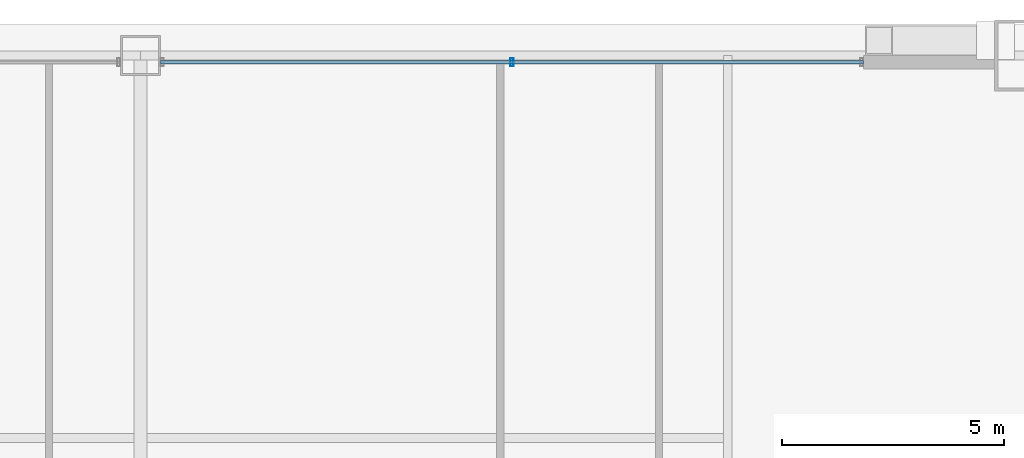
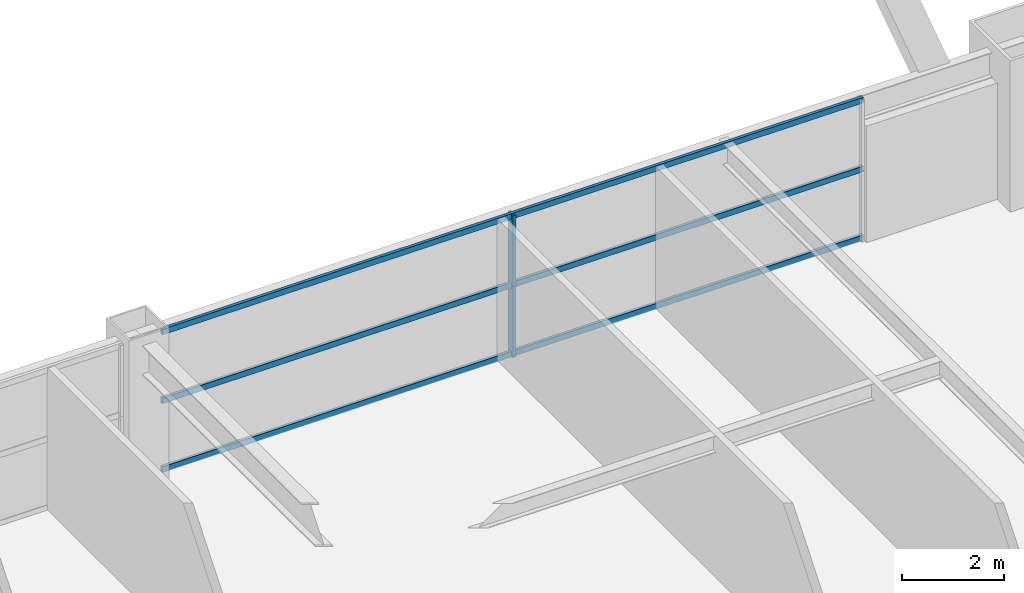
# One storey, part 33 of 41: 5 members, 1 element without a shape of its own.
"""IFC4 building model written with IfcOpenShell, lengths in metres."""

from ifc_helpers import new_model, si_unit, direction, frame, origin, origin_2d, place, context, subcontext, project, spatial, hollow_rectangle, extrude, source, transform, mapped, material, layer, layer_set, material_profile, profile_set, type_object, element, aggregate, save


model = new_model("IFC4")

# Units and contexts
model_context = context("Model", 3, precision=1e-05, world=origin(), true_north=direction((0.0, 1.0)))
body_context = subcontext(model_context, "Body", "Model", "MODEL_VIEW")
ifc_project = project(units=[si_unit("LENGTHUNIT", "METRE"), si_unit("AREAUNIT", "SQUARE_METRE"), si_unit("VOLUMEUNIT", "CUBIC_METRE"), si_unit("PLANEANGLEUNIT", "RADIAN"), si_unit("MASSUNIT", "GRAM", prefix="KILO"), si_unit("THERMODYNAMICTEMPERATUREUNIT", "KELVIN"), si_unit("POWERUNIT", "WATT")], contexts=[model_context])

# Site, building, storey
site_placement = place(None, origin())
site = spatial("IfcSite", under=ifc_project, at=site_placement, CompositionType="ELEMENT")
building_placement = place(site_placement, origin())
building = spatial("IfcBuilding", under=site, at=building_placement, Name="Yuzanri Waterfront Tower", CompositionType="ELEMENT")
storey_placement = place(building_placement, frame((0.0, 0.0, 115.39990234375)))
storey = spatial("IfcBuildingStorey", under=building, at=storey_placement, Name="L30", CompositionType="ELEMENT", Elevation=115.39990234375)

# Curtain wall, members
ifc_material_1 = material(Name="Anodized Architectural Bronze", Category="metal")
ifc_layer = layer(ifc_material_1, 0.159912109375)
ifc_layer_set = layer_set([ifc_layer], Name="Anodized Architectural Bronze")
curtain_wall_type = type_object("IfcCurtainWallType", Name="Anodized Bronze Hotel Upper-Tier Solar-Control Unitized Curtain Wall 7800", PredefinedType="NOTDEFINED", material=ifc_layer_set)
curtain_wall_placement = place(storey_placement, origin())
curtain_wall = element("IfcCurtainWall", 1, at=curtain_wall_placement, inside=storey, type_object=curtain_wall_type, Name="L30 Curtain Wall CW-L30-NR", PredefinedType="NOTDEFINED")
ifc_material_2 = material(Name="Anodized Architectural Bronze", Category="metal")
ifc_material_profile_1 = material_profile(ifc_material_2, hollow_rectangle(XDim=0.070068359375, YDim=0.179931640625, WallThickness=0.00390625, at=origin_2d()), Name="CWM 70x180")
ifc_profile_set_1 = profile_set([ifc_material_profile_1], Name="Anodized Architectural Bronze")
member_type_1 = type_object("IfcMemberType", Name="Anodized Bronze Standard Curtain-Wall Mullion 70x180", PredefinedType="MULLION", material=ifc_profile_set_1)
shared_shape_1 = source(origin(), body_context, "Body", "SweptSolid", [
    extrude(hollow_rectangle(XDim=0.070068359375, YDim=0.179931640625, WallThickness=0.00390625, at=origin_2d()), origin(), (0.0, 0.0, 1.0), 1.68798828125),
])
member_1_placement = place(storey_placement, frame((45.35009765625, 49.25, 0.0), z_axis=(0.0, 0.0, 1.0), x_axis=(1.0, 0.0, 0.0)))
member_1 = element("IfcMember", 2, at=member_1_placement, type_object=member_type_1, Name="CW-L30-NR Lower Mullion 01", PredefinedType="MULLION", context=body_context, shape_type="MappedRepresentation", body=[
    mapped(shared_shape_1, transform((0.0, 0.0, 0.0), scale=1.0)),
])
member_2_placement = place(storey_placement, frame((45.35009765625, 49.25, 1.692138671875), z_axis=(0.0, 0.0, 1.0), x_axis=(1.0, 0.0, 0.0)))
member_2 = element("IfcMember", 3, at=member_2_placement, type_object=member_type_1, Name="CW-L30-NR Upper Mullion 01", PredefinedType="MULLION", context=body_context, shape_type="MappedRepresentation", body=[
    mapped(shared_shape_1, transform((0.0, 0.0, 0.0), scale=1.0)),
])
ifc_material_3 = material(Name="Anodized Architectural Bronze", Category="metal")
ifc_material_profile_2 = material_profile(ifc_material_3, hollow_rectangle(XDim=0.070068359375, YDim=0.135009765625, WallThickness=0.00341796875, at=origin_2d()), Name="CWT 70x135")
ifc_profile_set_2 = profile_set([ifc_material_profile_2], Name="Anodized Architectural Bronze")
member_type_2 = type_object("IfcMemberType", Name="Anodized Bronze Standard Curtain-Wall Transom 70x135", PredefinedType="USERDEFINED", material=ifc_profile_set_2)
shared_shape_2 = source(origin(), body_context, "Body", "SweptSolid", [
    extrude(hollow_rectangle(XDim=0.070068359375, YDim=0.135009765625, WallThickness=0.00341796875, at=origin_2d()), origin(), (0.0, 0.0, 1.0), 15.800048828125),
])
member_3_placement = place(storey_placement, frame((37.449951171875, 49.25, 0.050048828125), z_axis=(1.0, 0.0, 0.0), x_axis=(0.0, 1.0, 0.0)))
member_3 = element("IfcMember", 4, at=member_3_placement, type_object=member_type_2, Name="CW-L30-NR Transom 1", ObjectType="TRANSOM", PredefinedType="USERDEFINED", context=body_context, shape_type="MappedRepresentation", body=[
    mapped(shared_shape_2, transform((0.0, 0.0, 0.0), scale=1.0)),
])
member_4_placement = place(storey_placement, frame((37.449951171875, 49.25, 1.690185546875), z_axis=(1.0, 0.0, 0.0), x_axis=(0.0, 1.0, 0.0)))
member_4 = element("IfcMember", 5, at=member_4_placement, type_object=member_type_2, Name="CW-L30-NR Transom 2", ObjectType="TRANSOM", PredefinedType="USERDEFINED", context=body_context, shape_type="MappedRepresentation", body=[
    mapped(shared_shape_2, transform((0.0, 0.0, 0.0), scale=1.0)),
])
member_5_placement = place(storey_placement, frame((37.449951171875, 49.25, 3.330078125), z_axis=(1.0, 0.0, 0.0), x_axis=(0.0, 1.0, 0.0)))
member_5 = element("IfcMember", 6, at=member_5_placement, type_object=member_type_2, Name="CW-L30-NR Transom 3", ObjectType="TRANSOM", PredefinedType="USERDEFINED", context=body_context, shape_type="MappedRepresentation", body=[
    mapped(shared_shape_2, transform((0.0, 0.0, 0.0), scale=1.0)),
])
aggregate(curtain_wall, [member_1, member_2, member_3, member_4, member_5])

save(model, "model.ifc")
